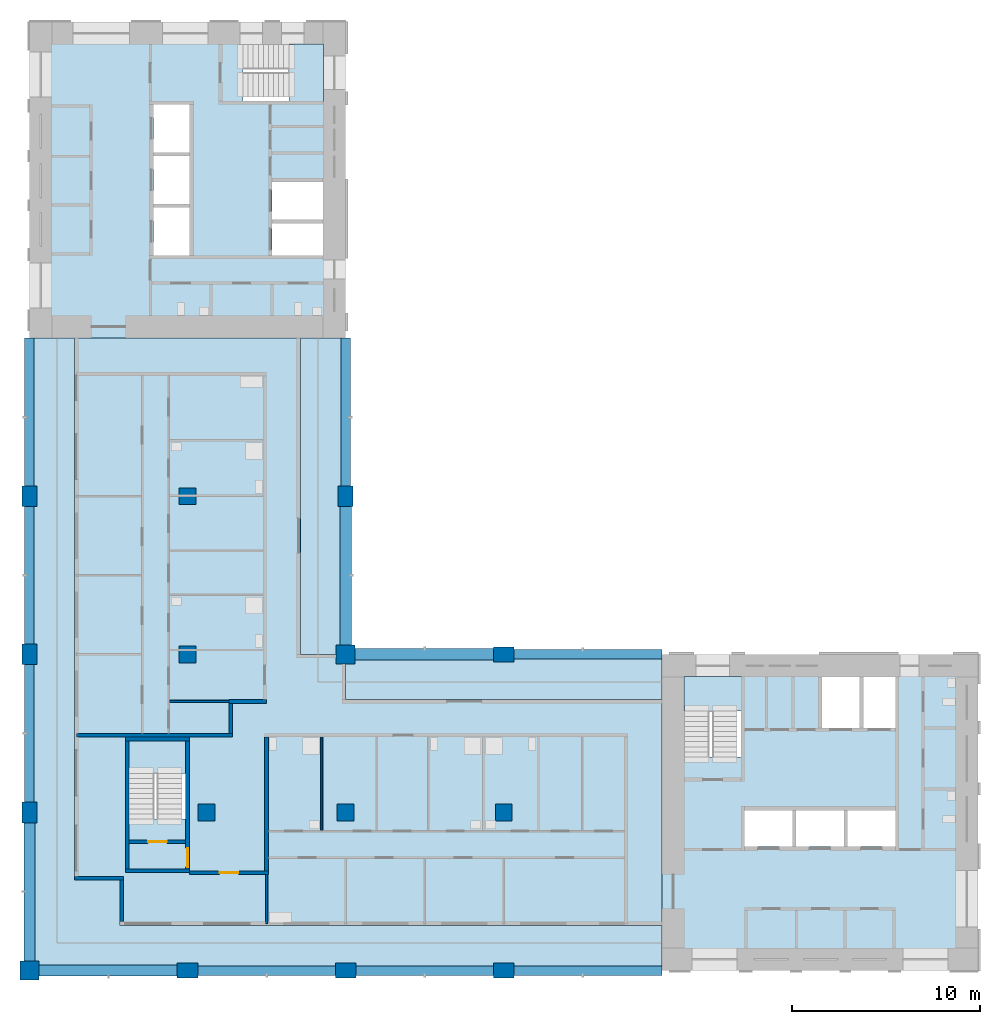
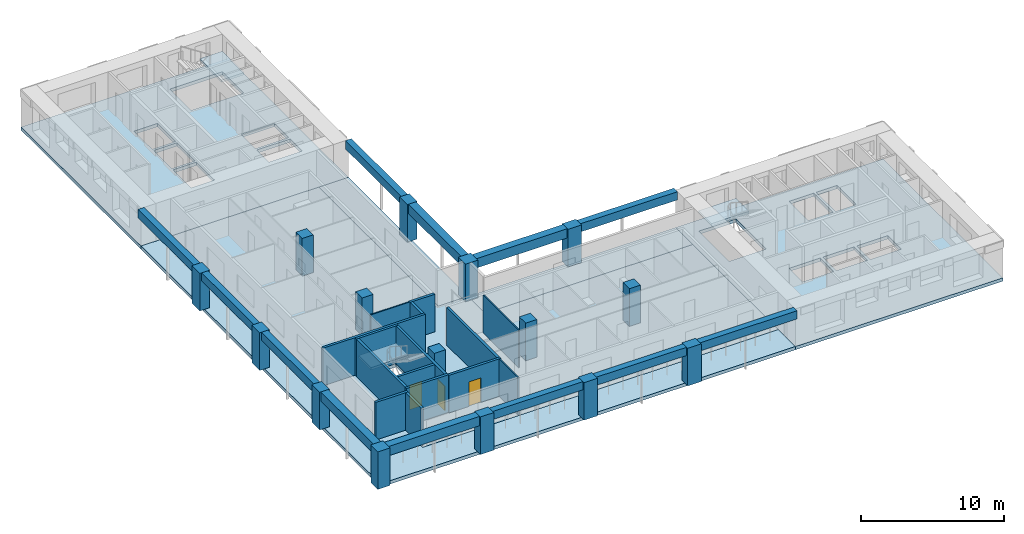
# One storey, part 1 of 10: 15 columns, 15 walls, 12 beams, 10 slabs, 3 doors, 3 openings, 3 elements without a shape of their own.
"""IFC4 building model written with IfcOpenShell, lengths in metres."""

from ifc_helpers import new_model, si_unit, direction, frame, frame_2d, origin, origin_2d, place, context, subcontext, project, spatial, polyline, rectangle, outline, extrude, material, layer, layer_set, material_profile, profile_set, type_object, element, fill, aggregate, save


model = new_model("IFC4")

# Units and contexts
model_context = context("Model", 3, precision=1e-05, world=origin(), true_north=direction((0.0, 1.0)))
body_context = subcontext(model_context, "Body", "Model", "MODEL_VIEW")
ifc_project = project(units=[si_unit("LENGTHUNIT", "METRE"), si_unit("AREAUNIT", "SQUARE_METRE"), si_unit("VOLUMEUNIT", "CUBIC_METRE"), si_unit("PLANEANGLEUNIT", "RADIAN"), si_unit("MASSUNIT", "GRAM", prefix="KILO")], contexts=[model_context])

# Site, building, storey
site_placement = place(None, origin())
site = spatial("IfcSite", under=ifc_project, at=site_placement, CompositionType="ELEMENT")
building_placement = place(site_placement, origin())
building = spatial("IfcBuilding", under=site, at=building_placement, Name="Vermilion Gate Residences", CompositionType="ELEMENT")
storey_placement = place(building_placement, frame((0.0, 0.0, 266.699951171875)))
storey = spatial("IfcBuildingStorey", under=building, at=storey_placement, Name="L70", CompositionType="ELEMENT", Elevation=266.699951171875)

# Columns
ifc_material_1 = material(Name="Concrete C50", Category="concrete")
ifc_material_profile_1 = material_profile(ifc_material_1, rectangle(XDim=1.0, YDim=1.0, at=origin_2d()), Name="RC-1000x1000")
ifc_profile_set_1 = profile_set([ifc_material_profile_1], Name="Concrete C50")
column_type_1 = type_object("IfcColumnType", Name="RC COLUMN 1000 X 1000 C50", PredefinedType="COLUMN", material=ifc_profile_set_1)
for number, where, z_axis, x_axis, name in (
    (1, (8.39990234375, 8.39990234375, 0.0), (0.0, 0.0, 1.0), (1.0, 0.0, 0.0), "Column 2-B L70"),
    (2, (25.199951171875, 25.199951171875, 0.0), (0.0, 0.0, 1.0), (1.0, 0.0, 0.0), "Column 4-D L70"),
):
    element("IfcColumn", number, at=place(storey_placement, frame(where, z_axis=z_axis, x_axis=x_axis)), inside=storey, type_object=column_type_1, Name=name, PredefinedType="COLUMN", context=body_context, shape_type="SweptSolid", body=[
        extrude(rectangle(XDim=1.0, YDim=1.0, at=origin_2d()), origin(), (0.0, 0.0, 1.0), 3.219970703125),
    ])
ifc_material_2 = material(Name="Concrete C50", Category="concrete")
ifc_material_profile_2 = material_profile(ifc_material_2, rectangle(XDim=1.10009765625, YDim=0.800048828125, at=origin_2d()), Name="RC-1100x800")
ifc_profile_set_2 = profile_set([ifc_material_profile_2], Name="Concrete C50")
column_type_2 = type_object("IfcColumnType", Name="RC COLUMN 1100 X 800 C50", PredefinedType="COLUMN", material=ifc_profile_set_2)
for number, where, z_axis, x_axis, name in (
    (3, (8.39990234375, 16.800048828125, 0.0), (0.0, 0.0, 1.0), (0.0, 1.0, 0.0), "Column 2-C L70"),
    (4, (8.39990234375, 25.199951171875, 0.0), (0.0, 0.0, 1.0), (0.0, 1.0, 0.0), "Column 2-D L70"),
    (5, (8.39990234375, 33.60009765625, 0.0), (0.0, 0.0, 1.0), (0.0, 1.0, 0.0), "Column 2-E L70"),
    (6, (16.800048828125, 8.39990234375, 0.0), (0.0, 0.0, 1.0), (1.0, 0.0, 0.0), "Column 3-B L70"),
    (7, (25.199951171875, 8.39990234375, 0.0), (0.0, 0.0, 1.0), (1.0, 0.0, 0.0), "Column 4-B L70"),
    (8, (25.199951171875, 33.60009765625, 0.0), (0.0, 0.0, 1.0), (0.0, 1.0, 0.0), "Column 4-E L70"),
    (9, (33.60009765625, 8.39990234375, 0.0), (0.0, 0.0, 1.0), (1.0, 0.0, 0.0), "Column 5-B L70"),
    (10, (33.60009765625, 25.199951171875, 0.0), (0.0, 0.0, 1.0), (1.0, 0.0, 0.0), "Column 5-D L70"),
):
    element("IfcColumn", number, at=place(storey_placement, frame(where, z_axis=z_axis, x_axis=x_axis)), inside=storey, type_object=column_type_2, Name=name, PredefinedType="COLUMN", context=body_context, shape_type="SweptSolid", body=[
        extrude(rectangle(XDim=1.10009765625, YDim=0.800048828125, at=origin_2d()), origin(), (0.0, 0.0, 1.0), 3.219970703125),
    ])
ifc_material_3 = material(Name="Concrete C50", Category="concrete")
ifc_material_profile_3 = material_profile(ifc_material_3, rectangle(XDim=0.89990234375, YDim=0.89990234375, at=origin_2d()), Name="RC-900x900")
ifc_profile_set_3 = profile_set([ifc_material_profile_3], Name="Concrete C50")
column_type_3 = type_object("IfcColumnType", Name="RC COLUMN 900 X 900 C50", PredefinedType="COLUMN", material=ifc_profile_set_3)
for number, where, z_axis, x_axis, name in (
    (11, (17.800048828125, 16.800048828125, 0.0), (0.0, 0.0, 1.0), (1.0, 0.0, 0.0), "Column 3-C L70"),
    (12, (16.800048828125, 25.199951171875, 0.0), (0.0, 0.0, 1.0), (1.0, 0.0, 0.0), "Column 3-D L70"),
    (13, (16.800048828125, 33.60009765625, 0.0), (0.0, 0.0, 1.0), (1.0, 0.0, 0.0), "Column 3-E L70"),
    (14, (25.199951171875, 16.800048828125, 0.0), (0.0, 0.0, 1.0), (1.0, 0.0, 0.0), "Column 4-C L70"),
    (15, (33.60009765625, 16.800048828125, 0.0), (0.0, 0.0, 1.0), (1.0, 0.0, 0.0), "Column 5-C L70"),
):
    element("IfcColumn", number, at=place(storey_placement, frame(where, z_axis=z_axis, x_axis=x_axis)), inside=storey, type_object=column_type_3, Name=name, PredefinedType="COLUMN", context=body_context, shape_type="SweptSolid", body=[
        extrude(rectangle(XDim=0.89990234375, YDim=0.89990234375, at=origin_2d()), origin(), (0.0, 0.0, 1.0), 3.219970703125),
    ])

# Beams
ifc_material_4 = material(Name="Concrete C60 red-oxide pigmented", Category="concrete")
ifc_material_profile_4 = material_profile(ifc_material_4, rectangle(XDim=0.60009765625, YDim=0.800048828125, at=origin_2d()), Name="RC-600x800")
ifc_profile_set_4 = profile_set([ifc_material_profile_4], Name="Concrete C60 red-oxide pigmented")
beam_type_1 = type_object("IfcBeamType", Name="RC CORNER EDGE BEAM 600 X 800 C60", PredefinedType="BEAM", material=ifc_profile_set_4)
for number, where, z_axis, x_axis, name in (
    (16, (8.89990234375, 8.39990234375, 2.820068359375), (1.0, 0.0, 0.0), (0.0, 1.0, 0.0), "Corner edge beam L70 1"),
    (17, (8.39990234375, 8.89990234375, 2.820068359375), (0.0, 1.0, 0.0), (-1.0, 0.0, 0.0), "Corner edge beam L70 2"),
    (18, (25.199951171875, 25.699951171875, 2.820068359375), (0.0, 1.0, 0.0), (-1.0, 0.0, 0.0), "Corner edge beam L70 7"),
    (19, (25.699951171875, 25.199951171875, 2.820068359375), (1.0, 0.0, 0.0), (0.0, 1.0, 0.0), "Corner edge beam L70 10"),
):
    element("IfcBeam", number, at=place(storey_placement, frame(where, z_axis=z_axis, x_axis=x_axis)), inside=storey, type_object=beam_type_1, Name=name, PredefinedType="BEAM", context=body_context, shape_type="SweptSolid", body=[
        extrude(rectangle(XDim=0.60009765625, YDim=0.800048828125, at=origin_2d()), origin(), (0.0, 0.0, 1.0), 7.35009765625),
    ])
ifc_material_5 = material(Name="Concrete C60 red-oxide pigmented", Category="concrete")
ifc_material_profile_5 = material_profile(ifc_material_5, rectangle(XDim=0.5, YDim=0.699951171875, at=origin_2d()), Name="RC-500x700")
ifc_profile_set_5 = profile_set([ifc_material_profile_5], Name="Concrete C60 red-oxide pigmented")
beam_type_2 = type_object("IfcBeamType", Name="RC EDGE BEAM 500 X 700 C60", PredefinedType="BEAM", material=ifc_profile_set_5)
beam_1_placement = place(storey_placement, frame((8.39990234375, 17.35009765625, 2.8701171875), z_axis=(0.0, 1.0, 0.0), x_axis=(-1.0, 0.0, 0.0)))
element("IfcBeam", 20, at=beam_1_placement, inside=storey, type_object=beam_type_2, Name="Edge beam L70 3", PredefinedType="BEAM", context=body_context, shape_type="SweptSolid", body=[
    extrude(rectangle(XDim=0.5, YDim=0.699951171875, at=origin_2d()), origin(), (0.0, 0.0, 1.0), 7.2998046875),
])
beam_2_placement = place(storey_placement, frame((8.39990234375, 25.75, 2.8701171875), z_axis=(0.0, 1.0, 0.0), x_axis=(-1.0, 0.0, 0.0)))
element("IfcBeam", 21, at=beam_2_placement, inside=storey, type_object=beam_type_2, Name="Edge beam L70 4", PredefinedType="BEAM", context=body_context, shape_type="SweptSolid", body=[
    extrude(rectangle(XDim=0.5, YDim=0.699951171875, at=origin_2d()), origin(), (0.0, 0.0, 1.0), 7.300048828125),
])
beam_3_placement = place(storey_placement, frame((8.39990234375, 34.14990234375, 2.8701171875), z_axis=(0.0, 1.0, 0.0), x_axis=(-1.0, 0.0, 0.0)))
element("IfcBeam", 22, at=beam_3_placement, inside=storey, type_object=beam_type_2, Name="Edge beam L70 5", PredefinedType="BEAM", context=body_context, shape_type="SweptSolid", body=[
    extrude(rectangle(XDim=0.5, YDim=0.699951171875, at=origin_2d()), origin(), (0.0, 0.0, 1.0), 7.85009765625),
])
beam_4_placement = place(storey_placement, frame((17.35009765625, 8.39990234375, 2.8701171875), z_axis=(1.0, 0.0, 0.0), x_axis=(0.0, 1.0, 0.0)))
element("IfcBeam", 23, at=beam_4_placement, inside=storey, type_object=beam_type_2, Name="Edge beam L70 6", PredefinedType="BEAM", context=body_context, shape_type="SweptSolid", body=[
    extrude(rectangle(XDim=0.5, YDim=0.699951171875, at=origin_2d()), origin(), (0.0, 0.0, 1.0), 7.2998046875),
])
beam_5_placement = place(storey_placement, frame((25.199951171875, 34.14990234375, 2.8701171875), z_axis=(0.0, 1.0, 0.0), x_axis=(-1.0, 0.0, 0.0)))
element("IfcBeam", 24, at=beam_5_placement, inside=storey, type_object=beam_type_2, Name="Edge beam L70 8", PredefinedType="BEAM", context=body_context, shape_type="SweptSolid", body=[
    extrude(rectangle(XDim=0.5, YDim=0.699951171875, at=origin_2d()), origin(), (0.0, 0.0, 1.0), 7.85009765625),
])
beam_6_placement = place(storey_placement, frame((25.75, 8.39990234375, 2.8701171875), z_axis=(1.0, 0.0, 0.0), x_axis=(0.0, 1.0, 0.0)))
element("IfcBeam", 25, at=beam_6_placement, inside=storey, type_object=beam_type_2, Name="Edge beam L70 9", PredefinedType="BEAM", context=body_context, shape_type="SweptSolid", body=[
    extrude(rectangle(XDim=0.5, YDim=0.699951171875, at=origin_2d()), origin(), (0.0, 0.0, 1.0), 7.300048828125),
])
for number, where, z_axis, x_axis, name in (
    (26, (34.14990234375, 8.39990234375, 2.8701171875), (1.0, 0.0, 0.0), (0.0, 1.0, 0.0), "Edge beam L70 11"),
    (27, (34.14990234375, 25.199951171875, 2.8701171875), (1.0, 0.0, 0.0), (0.0, 1.0, 0.0), "Edge beam L70 12"),
):
    element("IfcBeam", number, at=place(storey_placement, frame(where, z_axis=z_axis, x_axis=x_axis)), inside=storey, type_object=beam_type_2, Name=name, PredefinedType="BEAM", context=body_context, shape_type="SweptSolid", body=[
        extrude(rectangle(XDim=0.5, YDim=0.699951171875, at=origin_2d()), origin(), (0.0, 0.0, 1.0), 7.85009765625),
    ])

# Slabs
ifc_material_6 = material(Name="Concrete C50", Category="concrete")
ifc_layer_1 = layer(ifc_material_6, 0.280029296875)
ifc_layer_set_1 = layer_set([ifc_layer_1], Name="RC CORE FLOOR SLAB 280 C50")
slab_type_1 = type_object("IfcSlabType", Name="RC CORE FLOOR SLAB 280 C50", PredefinedType="FLOOR", material=ifc_layer_set_1)
slab_1_placement = place(storey_placement, frame((0.0, 0.0, -0.280029296875)))
element("IfcSlab", 28, at=slab_1_placement, inside=storey, type_object=slab_type_1, Name="Core floor slab A70", PredefinedType="FLOOR", context=body_context, shape_type="SweptSolid", body=[
    extrude(outline(polyline([(42.0, 8.39990234375), (58.800048828125, 8.39990234375), (58.800048828125, 25.199951171875), (42.0, 25.199951171875), (42.0, 8.39990234375)]), holes=[polyline([(46.39990234375, 15.0), (46.39990234375, 16.89990234375), (48.933349609375, 16.89990234375), (48.933349609375, 15.0), (46.39990234375, 15.0)]), polyline([(49.13330078125, 16.89990234375), (51.666748046875, 16.89990234375), (51.666748046875, 15.0), (49.13330078125, 15.0), (49.13330078125, 16.89990234375)]), polyline([(51.86669921875, 16.89990234375), (54.39990234375, 16.89990234375), (54.39990234375, 15.0), (51.86669921875, 15.0), (51.86669921875, 16.89990234375)]), polyline([(43.199951171875, 19.75), (43.199951171875, 24.0), (46.199951171875, 24.0), (46.199951171875, 19.75), (43.199951171875, 19.75)]), polyline([(50.5, 24.0), (52.5, 24.0), (52.5, 21.300048828125), (50.5, 21.300048828125), (50.5, 24.0)]), polyline([(52.699951171875, 24.0), (54.39990234375, 24.0), (54.39990234375, 21.300048828125), (52.699951171875, 21.300048828125), (52.699951171875, 24.0)])]), origin(), (0.0, 0.0, 1.0), 0.280029296875),
])
slab_2_placement = place(storey_placement, frame((0.0, 0.0, -0.280029296875)))
element("IfcSlab", 29, at=slab_2_placement, inside=storey, type_object=slab_type_1, Name="Core floor slab B70", PredefinedType="FLOOR", context=body_context, shape_type="SweptSolid", body=[
    extrude(outline(polyline([(8.39990234375, 42.0), (25.199951171875, 42.0), (25.199951171875, 58.800048828125), (8.39990234375, 58.800048828125), (8.39990234375, 42.0)]), holes=[polyline([(21.300048828125, 46.39990234375), (21.300048828125, 48.10009765625), (24.0, 48.10009765625), (24.0, 46.39990234375), (21.300048828125, 46.39990234375)]), polyline([(15.0, 48.933349609375), (16.89990234375, 48.933349609375), (16.89990234375, 46.39990234375), (15.0, 46.39990234375), (15.0, 48.933349609375)]), polyline([(21.300048828125, 50.300048828125), (24.0, 50.300048828125), (24.0, 48.300048828125), (21.300048828125, 48.300048828125), (21.300048828125, 50.300048828125)]), polyline([(15.0, 49.13330078125), (15.0, 51.666748046875), (16.89990234375, 51.666748046875), (16.89990234375, 49.13330078125), (15.0, 49.13330078125)]), polyline([(15.0, 54.39990234375), (16.89990234375, 54.39990234375), (16.89990234375, 51.86669921875), (15.0, 51.86669921875), (15.0, 54.39990234375)]), polyline([(19.75, 57.60009765625), (24.0, 57.60009765625), (24.0, 54.60009765625), (19.75, 54.60009765625), (19.75, 57.60009765625)])]), origin(), (0.0, 0.0, 1.0), 0.280029296875),
])
slab_3_placement = place(storey_placement, frame((0.0, 0.0, -0.280029296875)))
element("IfcSlab", 30, at=slab_3_placement, inside=storey, type_object=slab_type_1, Name="Apex stair floor slab 70", PredefinedType="FLOOR", context=body_context, shape_type="SweptSolid", body=[
    extrude(outline(polyline([(13.5, 13.60009765625), (16.89990234375, 13.60009765625), (16.89990234375, 20.800048828125), (13.5, 20.800048828125), (13.5, 13.60009765625)]), holes=[polyline([(16.699951171875, 20.60009765625), (16.699951171875, 16.449951171875), (13.699951171875, 16.449951171875), (13.699951171875, 20.60009765625), (16.699951171875, 20.60009765625)])]), origin(), (0.0, 0.0, 1.0), 0.280029296875),
])
ifc_material_7 = material(Name="Concrete C50", Category="concrete")
ifc_layer_2 = layer(ifc_material_7, 0.280029296875)
ifc_layer_set_2 = layer_set([ifc_layer_2], Name="RC FLAT PLATE 280 C50")
slab_type_2 = type_object("IfcSlabType", Name="RC FLAT PLATE 280 C50", PredefinedType="FLOOR", material=ifc_layer_set_2)
slab_4_placement = place(storey_placement, frame((0.0, 0.0, -0.280029296875)))
element("IfcSlab", 31, at=slab_4_placement, inside=storey, type_object=slab_type_2, Name="Floor slab L70", PredefinedType="FLOOR", context=body_context, shape_type="SweptSolid", body=[
    extrude(outline(polyline([(22.800048828125, 25.199951171875), (22.800048828125, 42.0), (10.800048828125, 42.0), (10.800048828125, 13.199951171875), (13.199951171875, 13.199951171875), (13.199951171875, 10.800048828125), (42.0, 10.800048828125), (42.0, 22.800048828125), (25.199951171875, 22.800048828125), (25.199951171875, 25.199951171875), (22.800048828125, 25.199951171875)]), holes=[polyline([(13.5, 13.60009765625), (13.5, 20.800048828125), (16.89990234375, 20.800048828125), (16.89990234375, 13.60009765625), (13.5, 13.60009765625)])]), origin(), (0.0, 0.0, 1.0), 0.280029296875),
])
ifc_material_8 = material(Name="Concrete C50 red-oxide pigmented", Category="concrete")
ifc_layer_3 = layer(ifc_material_8, 0.280029296875)
ifc_layer_set_3 = layer_set([ifc_layer_3], Name="RC LOGGIA SLAB 280 C50")
slab_type_3 = type_object("IfcSlabType", Name="RC LOGGIA SLAB 280 C50", PredefinedType="FLOOR", material=ifc_layer_set_3)
slab_5_placement = place(storey_placement, frame((0.0, 0.0, -0.280029296875)))
element("IfcSlab", 32, at=slab_5_placement, inside=storey, type_object=slab_type_3, Name="Loggia slab L70", PredefinedType="FLOOR", context=body_context, shape_type="SweptSolid", body=[
    extrude(outline(polyline([(8.39990234375, 8.39990234375), (42.0, 8.39990234375), (42.0, 10.800048828125), (13.199951171875, 10.800048828125), (13.199951171875, 13.199951171875), (10.800048828125, 13.199951171875), (10.800048828125, 42.0), (8.39990234375, 42.0), (8.39990234375, 8.39990234375)])), origin(), (0.0, 0.0, 1.0), 0.280029296875),
])
slab_6_placement = place(storey_placement, frame((0.0, 0.0, -0.280029296875)))
element("IfcSlab", 33, at=slab_6_placement, inside=storey, type_object=slab_type_3, Name="Loggia slab L70", PredefinedType="FLOOR", context=body_context, shape_type="SweptSolid", body=[
    extrude(outline(polyline([(25.199951171875, 22.800048828125), (42.0, 22.800048828125), (42.0, 25.199951171875), (25.199951171875, 25.199951171875), (25.199951171875, 22.800048828125)])), origin(), (0.0, 0.0, 1.0), 0.280029296875),
])
slab_7_placement = place(storey_placement, frame((0.0, 0.0, -0.280029296875)))
element("IfcSlab", 34, at=slab_7_placement, inside=storey, type_object=slab_type_3, Name="Loggia slab L70", PredefinedType="FLOOR", context=body_context, shape_type="SweptSolid", body=[
    extrude(outline(polyline([(25.199951171875, 42.0), (22.800048828125, 42.0), (22.800048828125, 25.199951171875), (25.199951171875, 25.199951171875), (25.199951171875, 42.0)])), origin(), (0.0, 0.0, 1.0), 0.280029296875),
])

# Stair, slab
ifc_material_9 = material(Name="Concrete C50", Category="concrete")
stair_type = type_object("IfcStairType", Name="SPECIAL ESCAPE STAIR 1300", PredefinedType="HALF_TURN_STAIR", material=ifc_material_9)
stair_1_placement = place(storey_placement, origin())
stair_1 = element("IfcStair", 35, at=stair_1_placement, inside=storey, type_object=stair_type, Name="Special escape stair STA1-70", PredefinedType="HALF_TURN_STAIR")
ifc_material_10 = material(Name="Concrete C50", Category="concrete")
ifc_layer_4 = layer(ifc_material_10, 0.199951171875)
ifc_layer_set_4 = layer_set([ifc_layer_4], Name="STAIR LANDING 200 C50")
slab_type_4 = type_object("IfcSlabType", Name="STAIR LANDING 200 C50", PredefinedType="LANDING", material=ifc_layer_set_4)
slab_8_placement = place(storey_placement, frame((0.0, 0.0, 1.550048828125)))
slab_8 = element("IfcSlab", 36, at=slab_8_placement, type_object=slab_type_4, Name="STA1-70 landing 1", PredefinedType="LANDING", context=body_context, shape_type="SweptSolid", body=[
    extrude(outline(polyline([(46.219970703125, 22.179931640625), (46.219970703125, 24.02001953125), (43.179931640625, 24.02001953125), (43.179931640625, 22.179931640625), (46.219970703125, 22.179931640625)])), origin(), (0.0, 0.0, 1.0), 0.199951171875),
])
aggregate(stair_1, [slab_8])

stair_2_placement = place(storey_placement, origin())
stair_2 = element("IfcStair", 37, at=stair_2_placement, inside=storey, type_object=stair_type, Name="Special escape stair STB1-70", PredefinedType="HALF_TURN_STAIR")
slab_9_placement = place(storey_placement, frame((0.0, 0.0, 1.550048828125)))
slab_9 = element("IfcSlab", 38, at=slab_9_placement, type_object=slab_type_4, Name="STB1-70 landing 1", PredefinedType="LANDING", context=body_context, shape_type="SweptSolid", body=[
    extrude(outline(polyline([(24.02001953125, 54.580078125), (24.02001953125, 57.6201171875), (22.179931640625, 57.6201171875), (22.179931640625, 54.580078125), (24.02001953125, 54.580078125)])), origin(), (0.0, 0.0, 1.0), 0.199951171875),
])
aggregate(stair_2, [slab_9])

stair_3_placement = place(storey_placement, origin())
stair_3 = element("IfcStair", 39, at=stair_3_placement, inside=storey, type_object=stair_type, Name="Special escape stair STC1-70", PredefinedType="HALF_TURN_STAIR")
slab_10_placement = place(storey_placement, frame((0.0, 0.0, 1.550048828125)))
slab_10 = element("IfcSlab", 40, at=slab_10_placement, type_object=slab_type_4, Name="STC1-70 landing 1", PredefinedType="LANDING", context=body_context, shape_type="SweptSolid", body=[
    extrude(outline(polyline([(16.719970703125, 18.8798828125), (16.719970703125, 20.6201171875), (13.679931640625, 20.6201171875), (13.679931640625, 18.8798828125), (16.719970703125, 18.8798828125)])), origin(), (0.0, 0.0, 1.0), 0.199951171875),
])
aggregate(stair_3, [slab_10])

# Walls
ifc_material_11 = material(Name="Insulated steel stud wall with terracotta rainscreen", Category="masonry")
ifc_layer_5 = layer(ifc_material_11, 0.199951171875)
ifc_layer_set_5 = layer_set([ifc_layer_5], Name="EXTERNAL WALL 200 TERRACOTTA RAINSCREEN")
wall_type_1 = type_object("IfcWallType", Name="EXTERNAL WALL 200 TERRACOTTA RAINSCREEN", PredefinedType="SOLIDWALL", material=ifc_layer_set_5)
wall_1_placement = place(storey_placement, frame((10.800048828125, 13.300048828125, 0.0), z_axis=(0.0, 0.0, 1.0), x_axis=(1.0, 0.0, 0.0)))
element("IfcWall", 41, at=wall_1_placement, inside=storey, type_object=wall_type_1, Name="External wall", PredefinedType="SOLIDWALL", context=body_context, shape_type="SweptSolid", body=[
    extrude(rectangle(XDim=2.599853515625, YDim=0.199951171875, at=frame_2d((1.2998046875, 0.0))), origin(), (0.0, 0.0, 1.0), 3.219970703125),
])
wall_2_placement = place(storey_placement, frame((13.300048828125, 13.199951171875, 0.0), z_axis=(0.0, 0.0, 1.0), x_axis=(0.0, -1.0, 0.0)))
element("IfcWall", 42, at=wall_2_placement, inside=storey, type_object=wall_type_1, Name="External wall", PredefinedType="SOLIDWALL", context=body_context, shape_type="SweptSolid", body=[
    extrude(rectangle(XDim=2.199951171875, YDim=0.199951171875, at=frame_2d((1.10009765625, 0.0))), origin(), (0.0, 0.0, 1.0), 3.219970703125),
])
ifc_material_12 = material(Name="Plasterboard on steel studs", Category="steel")
ifc_layer_6 = layer(ifc_material_12, 0.10009765625)
ifc_layer_set_6 = layer_set([ifc_layer_6], Name="PARTITION 100")
wall_type_2 = type_object("IfcWallType", Name="PARTITION 100", PredefinedType="PARTITIONING", material=ifc_layer_set_6)
wall_3_placement = place(storey_placement, frame((15.85009765625, 22.699951171875, 0.0), z_axis=(0.0, 0.0, 1.0), x_axis=(1.0, 0.0, 0.0)))
element("IfcWall", 43, at=wall_3_placement, inside=storey, type_object=wall_type_2, Name="Partition", PredefinedType="PARTITIONING", context=body_context, shape_type="SweptSolid", body=[
    extrude(rectangle(XDim=3.14990234375, YDim=0.10009765625, at=frame_2d((1.574951171875, 0.0))), origin(), (0.0, 0.0, 1.0), 3.219970703125),
])
wall_4_placement = place(storey_placement, frame((21.0, 10.89990234375, 0.0), z_axis=(0.0, 0.0, 1.0), x_axis=(0.0, 1.0, 0.0)))
element("IfcWall", 44, at=wall_4_placement, inside=storey, type_object=wall_type_2, Name="Partition", PredefinedType="PARTITIONING", context=body_context, shape_type="SweptSolid", body=[
    extrude(rectangle(XDim=2.60009765625, YDim=0.10009765625, at=frame_2d((1.300048828125, 0.0))), origin(), (0.0, 0.0, 1.0), 3.219970703125),
])
wall_5_placement = place(storey_placement, frame((23.928955078125, 15.85009765625, 0.0), z_axis=(0.0, 0.0, 1.0), x_axis=(0.0, 1.0, 0.0)))
element("IfcWall", 45, at=wall_5_placement, inside=storey, type_object=wall_type_2, Name="Partition", PredefinedType="PARTITIONING", context=body_context, shape_type="SweptSolid", body=[
    extrude(rectangle(XDim=4.949951171875, YDim=0.10009765625, at=frame_2d((2.47509765625, 0.0))), origin(), (0.0, 0.0, 1.0), 3.219970703125),
])

# Wall, opening, door
ifc_material_13 = material(Name="Fire-rated plasterboard on steel studs", Category="steel")
ifc_layer_7 = layer(ifc_material_13, 0.199951171875)
ifc_layer_set_7 = layer_set([ifc_layer_7], Name="PARTY WALL 200 EI 120")
wall_type_3 = type_object("IfcWallType", Name="PARTY WALL 200 EI 120", PredefinedType="PARTITIONING", material=ifc_layer_set_7)
wall_6_placement = place(storey_placement, frame((16.89990234375, 13.60009765625, 0.0), z_axis=(0.0, 0.0, 1.0), x_axis=(1.0, 0.0, 0.0)))
wall_6 = element("IfcWall", 46, at=wall_6_placement, inside=storey, type_object=wall_type_3, Name="Party and corridor wall", PredefinedType="PARTITIONING", context=body_context, shape_type="SweptSolid", body=[
    extrude(rectangle(XDim=4.2001953125, YDim=0.199951171875, at=frame_2d((2.10009765625, 0.0))), origin(), (0.0, 0.0, 1.0), 3.219970703125),
])
opening_1_placement = place(wall_6_placement, frame((1.60009765625, 0.0, 0.0)))
opening_1 = element("IfcOpeningElement", 47, at=opening_1_placement, cuts=wall_6, Name="Opening DA70001", PredefinedType="OPENING", context=body_context, shape_type="SweptSolid", body=[
    extrude(rectangle(XDim=1.0, YDim=2.10009765625, at=frame_2d((0.5, 1.050048828125))), frame((0.0, 0.10986328125, 0.0), z_axis=(0.0, -1.0, 0.0), x_axis=(1.0, 0.0, 0.0)), (0.0, 0.0, 1.0), 0.219970703125),
])
ifc_material_14 = material(Name="Steel", Category="steel")
door_type_1 = type_object("IfcDoorType", Name="ENTRANCE DOOR 1000 X 2100 FD30", OperationType="SINGLE_SWING_LEFT", PredefinedType="DOOR", material=ifc_material_14)
door_1_placement = place(opening_1_placement, frame((1.0, 0.0, 0.0), z_axis=(0.0, 0.0, 1.0), x_axis=(-1.0, 0.0, 0.0)))
door_1 = element("IfcDoor", 48, at=door_1_placement, inside=storey, type_object=door_type_1, Name="Entrance door", OperationType="SINGLE_SWING_LEFT", OverallHeight=2.10009765625, OverallWidth=1.0, PredefinedType="DOOR", context=body_context, shape_type="SweptSolid", body=[
    extrude(rectangle(XDim=1.0, YDim=2.10009765625, at=frame_2d((0.5, 1.050048828125))), frame((0.0, 0.02490234375, 0.0), z_axis=(0.0, -1.0, 0.0), x_axis=(1.0, 0.0, 0.0)), (0.0, 0.0, 1.0), 0.050048828125),
])
fill(opening_1, door_1)

# Walls
wall_7_placement = place(storey_placement, frame((10.89990234375, 20.89990234375, 0.0), z_axis=(0.0, 0.0, 1.0), x_axis=(1.0, 0.0, 0.0)))
element("IfcWall", 49, at=wall_7_placement, inside=storey, type_object=wall_type_3, Name="Party and corridor wall", PredefinedType="PARTITIONING", context=body_context, shape_type="SweptSolid", body=[
    extrude(rectangle(XDim=8.300048828125, YDim=0.199951171875, at=frame_2d((4.14990234375, 0.0))), origin(), (0.0, 0.0, 1.0), 3.219970703125),
])
wall_8_placement = place(storey_placement, frame((19.0, 22.699951171875, 0.0), z_axis=(0.0, 0.0, 1.0), x_axis=(1.0, 0.0, 0.0)))
element("IfcWall", 50, at=wall_8_placement, inside=storey, type_object=wall_type_3, Name="Party and corridor wall", PredefinedType="PARTITIONING", context=body_context, shape_type="SweptSolid", body=[
    extrude(rectangle(XDim=2.0, YDim=0.199951171875, at=frame_2d((1.0, 0.0))), origin(), (0.0, 0.0, 1.0), 3.219970703125),
])
wall_9_placement = place(storey_placement, frame((19.10009765625, 21.0, 0.0), z_axis=(0.0, 0.0, 1.0), x_axis=(0.0, 1.0, 0.0)))
element("IfcWall", 51, at=wall_9_placement, inside=storey, type_object=wall_type_3, Name="Party and corridor wall", PredefinedType="PARTITIONING", context=body_context, shape_type="SweptSolid", body=[
    extrude(rectangle(XDim=1.60009765625, YDim=0.199951171875, at=frame_2d((0.800048828125, 0.0))), origin(), (0.0, 0.0, 1.0), 3.219970703125),
])
wall_10_placement = place(storey_placement, frame((21.0, 13.699951171875, 0.0), z_axis=(0.0, 0.0, 1.0), x_axis=(0.0, 1.0, 0.0)))
element("IfcWall", 52, at=wall_10_placement, inside=storey, type_object=wall_type_3, Name="Party and corridor wall", PredefinedType="PARTITIONING", context=body_context, shape_type="SweptSolid", body=[
    extrude(rectangle(XDim=7.10009765625, YDim=0.199951171875, at=frame_2d((3.550048828125, 0.0))), origin(), (0.0, 0.0, 1.0), 3.219970703125),
])
ifc_material_15 = material(Name="Concrete C60", Category="concrete")
ifc_layer_8 = layer(ifc_material_15, 0.199951171875)
ifc_layer_set_8 = layer_set([ifc_layer_8], Name="RC CORE INTERNAL WALL 200 C60")
wall_type_4 = type_object("IfcWallType", Name="RC CORE INTERNAL WALL 200 C60", PredefinedType="SHEAR", material=ifc_layer_set_8)
wall_11_placement = place(storey_placement, frame((13.60009765625, 13.800048828125, 0.0), z_axis=(0.0, 0.0, 1.0), x_axis=(0.0, 1.0, 0.0)))
element("IfcWall", 53, at=wall_11_placement, inside=storey, type_object=wall_type_4, Name="Core internal wall C70-W", PredefinedType="SHEAR", context=body_context, shape_type="SweptSolid", body=[
    extrude(rectangle(XDim=6.800048828125, YDim=0.199951171875, at=frame_2d((3.39990234375, 0.0))), origin(), (0.0, 0.0, 1.0), 3.219970703125),
])

# Wall, opening, door
wall_12_placement = place(storey_placement, frame((16.800048828125, 13.800048828125, 0.0), z_axis=(0.0, 0.0, 1.0), x_axis=(0.0, 1.0, 0.0)))
wall_12 = element("IfcWall", 54, at=wall_12_placement, inside=storey, type_object=wall_type_4, Name="Core internal wall C70-E", PredefinedType="SHEAR", context=body_context, shape_type="SweptSolid", body=[
    extrude(rectangle(XDim=6.800048828125, YDim=0.199951171875, at=frame_2d((3.39990234375, 0.0))), origin(), (0.0, 0.0, 1.0), 3.219970703125),
])
opening_2_placement = place(wall_12_placement, frame((0.10009765625, 0.0, 0.0)))
opening_2 = element("IfcOpeningElement", 55, at=opening_2_placement, cuts=wall_12, Name="Opening DK70201", PredefinedType="OPENING", context=body_context, shape_type="SweptSolid", body=[
    extrude(rectangle(XDim=1.0, YDim=2.10009765625, at=frame_2d((0.5, 1.050048828125))), frame((0.0, 0.10986328125, 0.0), z_axis=(0.0, -1.0, 0.0), x_axis=(1.0, 0.0, 0.0)), (0.0, 0.0, 1.0), 0.219970703125),
])
ifc_material_16 = material(Name="Steel", Category="steel")
door_type_2 = type_object("IfcDoorType", Name="FIRE DOOR FD60 1000 X 2100", OperationType="SINGLE_SWING_LEFT", PredefinedType="DOOR", material=ifc_material_16)
door_2_placement = place(opening_2_placement, frame((1.0, 0.0, 0.0), z_axis=(0.0, 0.0, 1.0), x_axis=(-1.0, 0.0, 0.0)))
door_2 = element("IfcDoor", 56, at=door_2_placement, inside=storey, type_object=door_type_2, Name="Stair vestibule door C70", OperationType="SINGLE_SWING_RIGHT", OverallHeight=2.10009765625, OverallWidth=1.0, PredefinedType="DOOR", context=body_context, shape_type="SweptSolid", body=[
    extrude(rectangle(XDim=1.0, YDim=2.10009765625, at=frame_2d((0.5, 1.050048828125))), frame((0.0, 0.02490234375, 0.0), z_axis=(0.0, -1.0, 0.0), x_axis=(1.0, 0.0, 0.0)), (0.0, 0.0, 1.0), 0.050048828125),
])
fill(opening_2, door_2)

# Walls
for number, where, z_axis, x_axis, name in (
    (57, (13.5, 13.699951171875, 0.0), (0.0, 0.0, 1.0), (1.0, 0.0, 0.0), "Core internal wall C70-S"),
    (58, (13.5, 20.699951171875, 0.0), (0.0, 0.0, 1.0), (1.0, 0.0, 0.0), "Core internal wall C70-N"),
):
    element("IfcWall", number, at=place(storey_placement, frame(where, z_axis=z_axis, x_axis=x_axis)), inside=storey, type_object=wall_type_4, Name=name, PredefinedType="SHEAR", context=body_context, shape_type="SweptSolid", body=[
        extrude(rectangle(XDim=3.39990234375, YDim=0.199951171875, at=frame_2d((1.699951171875, 0.0))), origin(), (0.0, 0.0, 1.0), 3.219970703125),
    ])

# Wall, opening, door
wall_13_placement = place(storey_placement, frame((13.699951171875, 15.25, 0.0), z_axis=(0.0, 0.0, 1.0), x_axis=(1.0, 0.0, 0.0)))
wall_13 = element("IfcWall", 59, at=wall_13_placement, inside=storey, type_object=wall_type_4, Name="Core internal wall C70-P", PredefinedType="SHEAR", context=body_context, shape_type="SweptSolid", body=[
    extrude(rectangle(XDim=3.0, YDim=0.199951171875, at=frame_2d((1.5, 0.0))), origin(), (0.0, 0.0, 1.0), 3.219970703125),
])
opening_3_placement = place(wall_13_placement, frame((1.0, 0.0, 0.0)))
opening_3 = element("IfcOpeningElement", 60, at=opening_3_placement, cuts=wall_13, Name="Opening DK70202", PredefinedType="OPENING", context=body_context, shape_type="SweptSolid", body=[
    extrude(rectangle(XDim=1.0, YDim=2.10009765625, at=frame_2d((0.5, 1.050048828125))), frame((0.0, 0.10986328125, 0.0), z_axis=(0.0, -1.0, 0.0), x_axis=(1.0, 0.0, 0.0)), (0.0, 0.0, 1.0), 0.219970703125),
])
door_3_placement = place(opening_3_placement, origin())
door_3 = element("IfcDoor", 61, at=door_3_placement, inside=storey, type_object=door_type_2, Name="Stair door C70", OperationType="SINGLE_SWING_LEFT", OverallHeight=2.10009765625, OverallWidth=1.0, PredefinedType="DOOR", context=body_context, shape_type="SweptSolid", body=[
    extrude(rectangle(XDim=1.0, YDim=2.10009765625, at=frame_2d((0.5, 1.050048828125))), frame((0.0, 0.02490234375, 0.0), z_axis=(0.0, -1.0, 0.0), x_axis=(1.0, 0.0, 0.0)), (0.0, 0.0, 1.0), 0.050048828125),
])
fill(opening_3, door_3)

save(model, "model.ifc")
